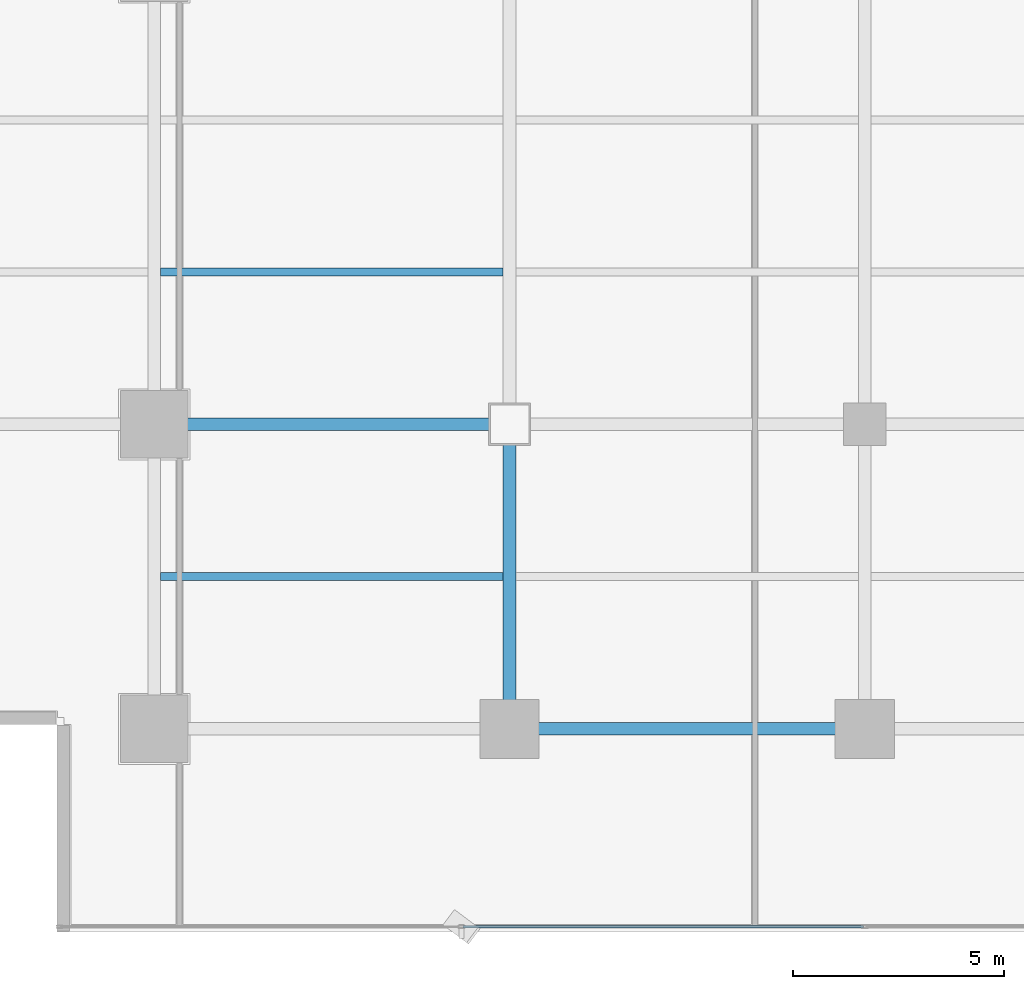
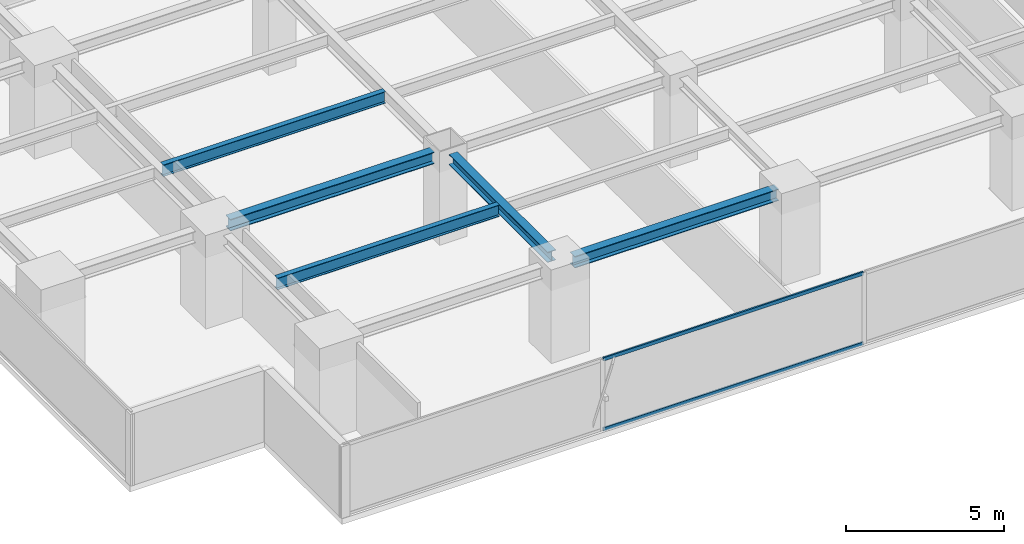
# One storey, part 4 of 27: 5 beams, 2 members, 1 element without a shape of its own.
"""IFC4 building model written with IfcOpenShell, lengths in metres."""

from ifc_helpers import new_model, si_unit, direction, frame, origin, origin_2d, place, context, subcontext, project, spatial, hollow_rectangle, i_section, extrude, source, transform, mapped, material, layer, layer_set, material_profile, profile_set, type_object, element, aggregate, save


model = new_model("IFC4")

# Units and contexts
model_context = context("Model", 3, precision=1e-05, world=origin(), true_north=direction((0.0, 1.0)))
body_context = subcontext(model_context, "Body", "Model", "MODEL_VIEW")
ifc_project = project(units=[si_unit("LENGTHUNIT", "METRE"), si_unit("AREAUNIT", "SQUARE_METRE"), si_unit("VOLUMEUNIT", "CUBIC_METRE"), si_unit("PLANEANGLEUNIT", "RADIAN"), si_unit("MASSUNIT", "GRAM", prefix="KILO")], contexts=[model_context])

# Site, building, storey
site_placement = place(None, origin())
site = spatial("IfcSite", under=ifc_project, at=site_placement, CompositionType="ELEMENT")
building_placement = place(site_placement, origin())
building = spatial("IfcBuilding", under=site, at=building_placement, Name="Sumidabori Civic Tower", CompositionType="ELEMENT")
storey_placement = place(building_placement, frame((0.0, 0.0, 138.800048828125)))
storey = spatial("IfcBuildingStorey", under=building, at=storey_placement, Name="L35", CompositionType="ELEMENT", Elevation=138.800048828125)

# Beams
ifc_material_1 = material(Name="Steel SN490", Category="steel")
ifc_material_profile_1 = material_profile(ifc_material_1, i_section(OverallWidth=0.300048828125, OverallDepth=0.39990234375, WebThickness=0.013427734375, FlangeThickness=0.02392578125, at=origin_2d()), Name="HE 400 B")
ifc_profile_set_1 = profile_set([ifc_material_profile_1], Name="Steel SN490")
beam_type_1 = type_object("IfcBeamType", Name="BM-GIRD-400", PredefinedType="BEAM", material=ifc_profile_set_1)
shared_shape_1 = source(origin(), body_context, "Body", "SweptSolid", [
    extrude(i_section(OverallWidth=0.300048828125, OverallDepth=0.39990234375, WebThickness=0.013427734375, FlangeThickness=0.02392578125, at=origin_2d()), origin(), (0.0, 0.0, 1.0), 6.239990234375),
])
beam_1_placement = place(storey_placement, frame((-8.39990234375, -17.52001953125, 3.179931640625), z_axis=(0.0, 1.0, 0.0), x_axis=(-1.0, 0.0, 0.0)))
element("IfcBeam", 1, at=beam_1_placement, inside=storey, type_object=beam_type_1, Name="Primary Girder L35 GY-26", PredefinedType="BEAM", context=body_context, shape_type="MappedRepresentation", body=[
    mapped(shared_shape_1, transform((0.0, 0.0, 0.0), x_axis=(1.0, 0.0, 0.0), y_axis=(0.0, 1.0, 0.0), z_axis=(0.0, 0.0, 1.0), scale=1.0)),
])
ifc_material_profile_2 = material_profile(ifc_material_1, i_section(OverallWidth=0.18994140625, OverallDepth=0.449951171875, WebThickness=0.009521484375, FlangeThickness=0.0146484375, at=origin_2d()), Name="IPE 450")
ifc_profile_set_2 = profile_set([ifc_material_profile_2], Name="Steel SN490")
beam_type_2 = type_object("IfcBeamType", Name="BM-JST-450", PredefinedType="JOIST", material=ifc_profile_set_2)
shared_shape_2 = source(origin(), body_context, "Body", "SweptSolid", [
    extrude(i_section(OverallWidth=0.18994140625, OverallDepth=0.449951171875, WebThickness=0.009521484375, FlangeThickness=0.0146484375, at=origin_2d()), origin(), (0.0, 0.0, 1.0), 8.099853515625),
])
for number, where, z_axis, x_axis, name in (
    (2, (-16.64990234375, -14.39990234375, 3.155029296875), (1.0, 0.0, 0.0), (0.0, 1.0, 0.0), "South Bay Floor Joist L35 JSTS-49"),
    (3, (-16.64990234375, -7.199951171875, 3.155029296875), (1.0, 0.0, 0.0), (0.0, 1.0, 0.0), "South Bay Floor Joist L35 JSTS-53"),
):
    element("IfcBeam", number, at=place(storey_placement, frame(where, z_axis=z_axis, x_axis=x_axis)), inside=storey, type_object=beam_type_2, Name=name, PredefinedType="JOIST", context=body_context, shape_type="MappedRepresentation", body=[
        mapped(shared_shape_2, transform((0.0, 0.0, 0.0), x_axis=(1.0, 0.0, 0.0), y_axis=(0.0, 1.0, 0.0), z_axis=(0.0, 0.0, 1.0), scale=1.0)),
    ])
ifc_material_profile_3 = material_profile(ifc_material_1, i_section(OverallWidth=0.300048828125, OverallDepth=0.449951171875, WebThickness=0.013916015625, FlangeThickness=0.02587890625, at=origin_2d()), Name="HE 450 B")
ifc_profile_set_3 = profile_set([ifc_material_profile_3], Name="Steel SN490")
beam_type_3 = type_object("IfcBeamType", Name="BM-GIRD-450", PredefinedType="BEAM", material=ifc_profile_set_3)
shared_shape_3 = source(origin(), body_context, "Body", "SweptSolid", [
    extrude(i_section(OverallWidth=0.300048828125, OverallDepth=0.449951171875, WebThickness=0.013916015625, FlangeThickness=0.02587890625, at=origin_2d()), origin(), (0.0, 0.0, 1.0), 7.440185546875),
])
beam_2_placement = place(storey_placement, frame((-16.320068359375, -10.800048828125, 3.155029296875), z_axis=(1.0, 0.0, 0.0), x_axis=(0.0, 1.0, 0.0)))
element("IfcBeam", 4, at=beam_2_placement, inside=storey, type_object=beam_type_3, Name="Primary Girder L35 GX-06", PredefinedType="BEAM", context=body_context, shape_type="MappedRepresentation", body=[
    mapped(shared_shape_3, transform((0.0, 0.0, 0.0), x_axis=(1.0, 0.0, 0.0), y_axis=(0.0, 1.0, 0.0), z_axis=(0.0, 0.0, 1.0), scale=1.0)),
])
shared_shape_4 = source(origin(), body_context, "Body", "SweptSolid", [
    extrude(i_section(OverallWidth=0.300048828125, OverallDepth=0.449951171875, WebThickness=0.013916015625, FlangeThickness=0.02587890625, at=origin_2d()), origin(), (0.0, 0.0, 1.0), 7.43994140625),
])
beam_3_placement = place(storey_placement, frame((-7.919921875, -18.0, 3.155029296875), z_axis=(1.0, 0.0, 0.0), x_axis=(0.0, 1.0, 0.0)))
element("IfcBeam", 5, at=beam_3_placement, inside=storey, type_object=beam_type_3, Name="Primary Girder L35 GX-02", PredefinedType="BEAM", context=body_context, shape_type="MappedRepresentation", body=[
    mapped(shared_shape_4, transform((0.0, 0.0, 0.0), x_axis=(1.0, 0.0, 0.0), y_axis=(0.0, 1.0, 0.0), z_axis=(0.0, 0.0, 1.0), scale=1.0)),
])

# Curtain wall, members
ifc_material_2 = material(Name="Anodised Bronze Aluminium AW-6063-T6", Category="aluminium")
ifc_layer = layer(ifc_material_2, 0.179931640625, Name="Anodised Bronze Aluminium AW-6063-T6")
ifc_layer_set = layer_set([ifc_layer], Name="Anodised Bronze Aluminium AW-6063-T6")
curtain_wall_type = type_object("IfcCurtainWallType", Name="CW-SYS-3", PredefinedType="NOTDEFINED", material=ifc_layer_set)
curtain_wall_placement = place(storey_placement, origin())
curtain_wall = element("IfcCurtainWall", 6, at=curtain_wall_placement, inside=storey, type_object=curtain_wall_type, Name="Curtain Wall CW:L35:R01", PredefinedType="NOTDEFINED")
ifc_material_profile_4 = material_profile(ifc_material_2, hollow_rectangle(XDim=0.06005859375, YDim=0.1298828125, WallThickness=0.0048828125, at=origin_2d()), Name="ALU TRANSOM 130x60")
ifc_profile_set_4 = profile_set([ifc_material_profile_4], Name="Anodised Bronze Aluminium AW-6063-T6")
member_type = type_object("IfcMemberType", Name="CW-TRN-130", PredefinedType="USERDEFINED", material=ifc_profile_set_4)
shared_shape_5 = source(origin(), body_context, "Body", "SweptSolid", [
    extrude(hollow_rectangle(XDim=0.06005859375, YDim=0.1298828125, WallThickness=0.0048828125, at=origin_2d()), origin(), (0.0, 0.0, 1.0), 9.469970703125),
])
member_1_placement = place(storey_placement, frame((-9.50244140625, -22.679931640625, 0.030029296875), z_axis=(1.0, 0.0, 0.0), x_axis=(0.0, 1.0, 0.0)))
member_1 = element("IfcMember", 7, at=member_1_placement, type_object=member_type, Name="CW-3 transom 2.1", ObjectType="TRANSOM", PredefinedType="USERDEFINED", context=body_context, shape_type="MappedRepresentation", body=[
    mapped(shared_shape_5, transform((0.0, 0.0, 0.0), x_axis=(1.0, 0.0, 0.0), y_axis=(0.0, 1.0, 0.0), z_axis=(0.0, 0.0, 1.0), scale=1.0)),
])
member_2_placement = place(storey_placement, frame((-9.50244140625, -22.679931640625, 2.72998046875), z_axis=(1.0, 0.0, 0.0), x_axis=(0.0, 1.0, 0.0)))
member_2 = element("IfcMember", 8, at=member_2_placement, type_object=member_type, Name="CW-3 transom 2.2", ObjectType="TRANSOM", PredefinedType="USERDEFINED", context=body_context, shape_type="MappedRepresentation", body=[
    mapped(shared_shape_5, transform((0.0, 0.0, 0.0), x_axis=(1.0, 0.0, 0.0), y_axis=(0.0, 1.0, 0.0), z_axis=(0.0, 0.0, 1.0), scale=1.0)),
])
aggregate(curtain_wall, [member_1, member_2])

save(model, "model.ifc")
